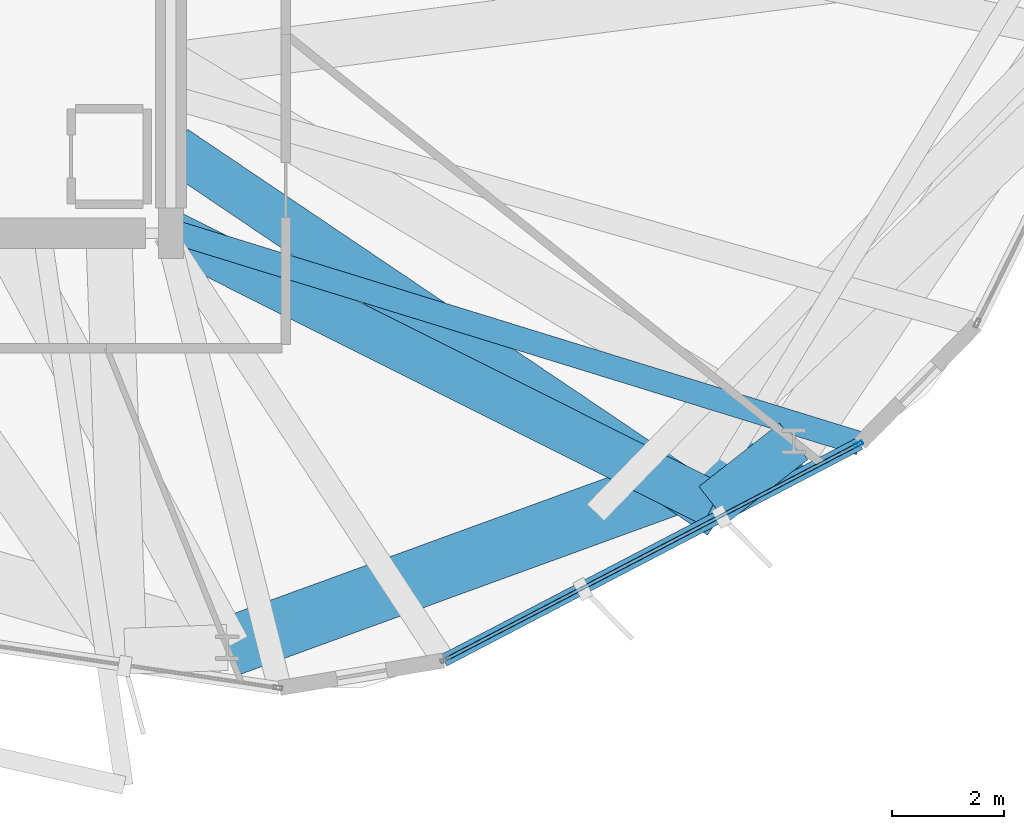
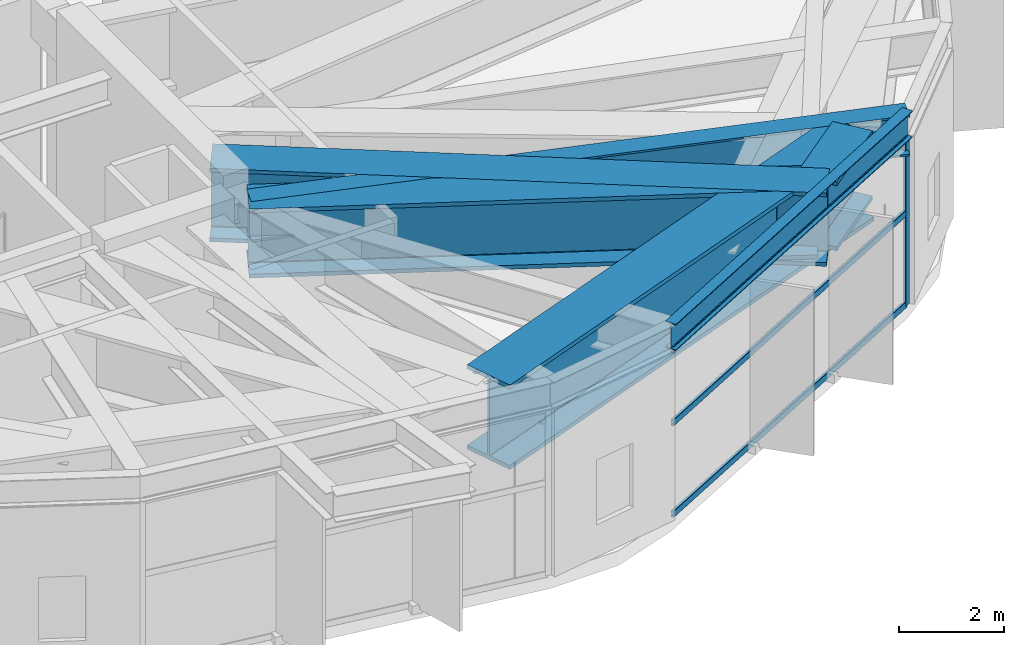
# One storey, part 8 of 27: 6 beams, 4 members, 1 element without a shape of its own.
"""IFC4 building model written with IfcOpenShell, lengths in metres."""

from ifc_helpers import new_model, si_unit, direction, frame, origin, origin_2d, place, context, subcontext, project, spatial, hollow_rectangle, i_section, extrude, material, layer, layer_set, material_profile, profile_set, type_object, element, aggregate, save


model = new_model("IFC4")

# Units and contexts
model_context = context("Model", 3, precision=1e-05, world=origin(), true_north=direction((0.0, 1.0)))
body_context = subcontext(model_context, "Body", "Model", "MODEL_VIEW")
ifc_project = project(units=[si_unit("LENGTHUNIT", "METRE"), si_unit("AREAUNIT", "SQUARE_METRE"), si_unit("VOLUMEUNIT", "CUBIC_METRE"), si_unit("PLANEANGLEUNIT", "RADIAN"), si_unit("MASSUNIT", "GRAM", prefix="KILO")], contexts=[model_context])

# Site, building, storey
site_placement = place(None, origin())
site = spatial("IfcSite", under=ifc_project, at=site_placement, CompositionType="ELEMENT")
building_placement = place(site_placement, origin())
building = spatial("IfcBuilding", under=site, at=building_placement, Name="Soratama Intermodal Tower", CompositionType="ELEMENT")
storey_placement = place(building_placement, frame((0.0, 0.0, 134.199951171875)))
storey = spatial("IfcBuildingStorey", under=building, at=storey_placement, Name="L32", CompositionType="ELEMENT", Elevation=134.199951171875)

# Beams
ifc_material_1 = material(Name="Structural steel ASTM A992 Grade 50", Category="steel")
ifc_material_profile_1 = material_profile(ifc_material_1, i_section(OverallWidth=0.423095703125, OverallDepth=0.93896484375, WebThickness=0.02392578125, FlangeThickness=0.042724609375, FilletRadius=0.02392578125, at=origin_2d()), Name="W36X302")
ifc_profile_set_1 = profile_set([ifc_material_profile_1], Name="Structural steel ASTM A992 Grade 50")
beam_type_1 = type_object("IfcBeamType", Name="BM-POD-W36X302", PredefinedType="BEAM", material=ifc_profile_set_1)
beam_1_placement = place(storey_placement, frame((44.637939453125, 15.031005859375, 4.030517578125), z_axis=(0.955576687125, -0.294742591126, 0.0), x_axis=(0.294742591126, 0.955576687125, 0.0)))
element("IfcBeam", 1, at=beam_1_placement, inside=storey, type_object=beam_type_1, Name="BM-L32-TIE1-08", PredefinedType="BEAM", context=body_context, shape_type="SweptSolid", body=[
    extrude(i_section(OverallWidth=0.423095703125, OverallDepth=0.93896484375, WebThickness=0.02392578125, FlangeThickness=0.042724609375, FilletRadius=0.02392578125, at=origin_2d()), origin(), (0.0, 0.0, 1.0), 12.824951171875),
])
ifc_material_2 = material(Name="Structural steel ASTM A992 Grade 50", Category="steel")
ifc_material_profile_2 = material_profile(ifc_material_2, i_section(OverallWidth=0.22900390625, OverallDepth=0.612060546875, WebThickness=0.011962890625, FlangeThickness=0.01953125, FilletRadius=0.012939453125, at=origin_2d()), Name="W24X84")
ifc_profile_set_2 = profile_set([ifc_material_profile_2], Name="Structural steel ASTM A992 Grade 50")
beam_type_2 = type_object("IfcBeamType", Name="BM-SPN-W24X84", PredefinedType="SPANDREL", material=ifc_profile_set_2)
beam_2_placement = place(storey_placement, frame((49.466064453125, 7.3779296875, 4.194091796875), z_axis=(0.886678375348, 0.462386698219, 0.0), x_axis=(-0.462386698219, 0.886678375348, 0.0)))
element("IfcBeam", 2, at=beam_2_placement, inside=storey, type_object=beam_type_2, Name="BS-L32-F08", PredefinedType="SPANDREL", context=body_context, shape_type="SweptSolid", body=[
    extrude(i_section(OverallWidth=0.22900390625, OverallDepth=0.612060546875, WebThickness=0.011962890625, FlangeThickness=0.01953125, FilletRadius=0.012939453125, at=origin_2d()), origin(), (0.0, 0.0, 1.0), 8.376220703125),
])
ifc_material_3 = material(Name="Structural steel ASTM A992 Grade 50", Category="steel")
ifc_material_profile_3 = material_profile(ifc_material_3, i_section(OverallWidth=0.820068359375, OverallDepth=1.699951171875, WebThickness=0.053955078125, FlangeThickness=0.087890625, FilletRadius=0.02392578125, at=origin_2d()), Name="PG1580X800")
ifc_profile_set_3 = profile_set([ifc_material_profile_3], Name="Structural steel ASTM A992 Grade 50")
beam_type_3 = type_object("IfcBeamType", Name="BM-ZSTEP-PG1580", PredefinedType="BEAM", material=ifc_profile_set_3)
beam_3_placement = place(storey_placement, frame((44.669921875, 16.51708984375, 3.650146484375), z_axis=(0.829072577214, -0.559141003425, 0.0), x_axis=(0.559141003425, 0.829072577214, 0.0)))
element("IfcBeam", 3, at=beam_3_placement, inside=storey, type_object=beam_type_3, Name="BM-L32-ZCHORD-09", PredefinedType="BEAM", context=body_context, shape_type="SweptSolid", body=[
    extrude(i_section(OverallWidth=0.820068359375, OverallDepth=1.699951171875, WebThickness=0.053955078125, FlangeThickness=0.087890625, FilletRadius=0.02392578125, at=origin_2d()), origin(), (0.0, 0.0, 1.0), 11.73974609375),
])
ifc_material_4 = material(Name="Structural steel ASTM A992 Grade 50", Category="steel")
ifc_material_profile_4 = material_profile(ifc_material_4, i_section(OverallWidth=0.820068359375, OverallDepth=1.60205078125, WebThickness=0.055908203125, FlangeThickness=0.092041015625, FilletRadius=0.02392578125, at=origin_2d()), Name="PG1600X650")
ifc_profile_set_4 = profile_set([ifc_material_profile_4], Name="Structural steel ASTM A992 Grade 50")
beam_type_4 = type_object("IfcBeamType", Name="BM-ZSTEP-PG1600", PredefinedType="BEAM", material=ifc_profile_set_4)
beam_4_placement = place(storey_placement, frame((55.7119140625, 11.2890625, 3.698974609375), z_axis=(-0.786244219963, -0.61791587338, 0.0), x_axis=(0.61791587338, -0.786244219963, 0.0)))
element("IfcBeam", 4, at=beam_4_placement, inside=storey, type_object=beam_type_4, Name="BM-L32-ZSTEP-A09", PredefinedType="BEAM", context=body_context, shape_type="SweptSolid", body=[
    extrude(i_section(OverallWidth=0.820068359375, OverallDepth=1.60205078125, WebThickness=0.055908203125, FlangeThickness=0.092041015625, FilletRadius=0.02392578125, at=origin_2d()), origin(), (0.0, 0.0, 1.0), 1.828857421875),
])
beam_5_placement = place(storey_placement, frame((54.27392578125, 10.158935546875, 3.698974609375), z_axis=(-0.894273669201, 0.447520507434, 0.0), x_axis=(-0.447520507434, -0.894273669201, 0.0)))
element("IfcBeam", 5, at=beam_5_placement, inside=storey, type_object=beam_type_4, Name="BM-L32-ZSTEP-B09", PredefinedType="BEAM", context=body_context, shape_type="SweptSolid", body=[
    extrude(i_section(OverallWidth=0.820068359375, OverallDepth=1.60205078125, WebThickness=0.055908203125, FlangeThickness=0.092041015625, FilletRadius=0.02392578125, at=origin_2d()), origin(), (0.0, 0.0, 1.0), 10.817626953125),
])
ifc_material_5 = material(Name="Structural steel ASTM A992 Grade 50", Category="steel")
ifc_material_profile_5 = material_profile(ifc_material_5, i_section(OverallWidth=1.06005859375, OverallDepth=1.9599609375, WebThickness=0.05810546875, FlangeThickness=0.095947265625, FilletRadius=0.02392578125, at=origin_2d()), Name="PG2400X900")
ifc_profile_set_5 = profile_set([ifc_material_profile_5], Name="Structural steel ASTM A992 Grade 50")
beam_type_5 = type_object("IfcBeamType", Name="BM-ZSTEP-PG2400", PredefinedType="BEAM", material=ifc_profile_set_5)
beam_6_placement = place(storey_placement, frame((45.60693359375, 7.611083984375, 3.52001953125), z_axis=(0.939690636038, 0.342025596326, 0.0), x_axis=(-0.342025596326, 0.939690636038, 0.0)))
element("IfcBeam", 6, at=beam_6_placement, inside=storey, type_object=beam_type_5, Name="BM-L32-RING-08", PredefinedType="BEAM", context=body_context, shape_type="SweptSolid", body=[
    extrude(i_section(OverallWidth=1.06005859375, OverallDepth=1.9599609375, WebThickness=0.05810546875, FlangeThickness=0.095947265625, FilletRadius=0.02392578125, at=origin_2d()), origin(), (0.0, 0.0, 1.0), 10.75341796875),
])

# Curtain wall, members
ifc_material_6 = material(Name="Double-glazed aluminium curtain wall", Category="aluminium")
ifc_layer = layer(ifc_material_6, 0.159912109375)
ifc_layer_set = layer_set([ifc_layer], Name="Double-glazed aluminium curtain wall")
curtain_wall_type = type_object("IfcCurtainWallType", Name="CW-SYS-3", PredefinedType="NOTDEFINED", material=ifc_layer_set)
curtain_wall_placement = place(storey_placement, origin())
curtain_wall = element("IfcCurtainWall", 7, at=curtain_wall_placement, inside=storey, type_object=curtain_wall_type, Name="L32 Faceted Curtain Wall F08", PredefinedType="NOTDEFINED")
ifc_material_7 = material(Name="Anodised aluminium AA 6063-T6", Category="aluminium")
ifc_material_profile_6 = material_profile(ifc_material_7, hollow_rectangle(XDim=0.070068359375, YDim=0.159912109375, WallThickness=0.0048828125, InnerFilletRadius=0.0048828125, OuterFilletRadius=0.010009765625, at=origin_2d()), Name="CWM160X70X5")
ifc_profile_set_6 = profile_set([ifc_material_profile_6], Name="Anodised aluminium AA 6063-T6")
member_type_1 = type_object("IfcMemberType", Name="MT-CWM-3", PredefinedType="MULLION", material=ifc_profile_set_6)
member_1_placement = place(storey_placement, frame((56.8662109375, 11.2373046875, 0.0), z_axis=(0.0, 0.0, 1.0), x_axis=(-0.462358726899, 0.886692961323, 0.0)))
member_1 = element("IfcMember", 8, at=member_1_placement, type_object=member_type_1, Name="CW-3 mullion 2", PredefinedType="MULLION", context=body_context, shape_type="SweptSolid", body=[
    extrude(hollow_rectangle(XDim=0.070068359375, YDim=0.159912109375, WallThickness=0.0048828125, InnerFilletRadius=0.0048828125, OuterFilletRadius=0.010009765625, at=origin_2d()), origin(), (0.0, 0.0, 1.0), 3.879150390625),
])
ifc_material_8 = material(Name="Anodised aluminium AA 6063-T6", Category="aluminium")
ifc_material_profile_7 = material_profile(ifc_material_8, hollow_rectangle(XDim=0.06494140625, YDim=0.14990234375, WallThickness=0.0048828125, InnerFilletRadius=0.0048828125, OuterFilletRadius=0.010009765625, at=origin_2d()), Name="CWT150X65X5")
ifc_profile_set_7 = profile_set([ifc_material_profile_7], Name="Anodised aluminium AA 6063-T6")
member_type_2 = type_object("IfcMemberType", Name="TT-CWT-1", PredefinedType="USERDEFINED", material=ifc_profile_set_7)
member_2_placement = place(storey_placement, frame((49.518798828125, 7.40625, 0.030029296875), z_axis=(0.886704504985, 0.462336588256, 0.0), x_axis=(-0.462336588256, 0.886704504985, 0.0)))
member_2 = element("IfcMember", 9, at=member_2_placement, type_object=member_type_2, Name="CW-3 transom 1.1", ObjectType="TRANSOM", PredefinedType="USERDEFINED", context=body_context, shape_type="SweptSolid", body=[
    extrude(hollow_rectangle(XDim=0.06494140625, YDim=0.14990234375, WallThickness=0.0048828125, InnerFilletRadius=0.0048828125, OuterFilletRadius=0.010009765625, at=origin_2d()), origin(), (0.0, 0.0, 1.0), 8.256103515625),
])
member_3_placement = place(storey_placement, frame((49.518798828125, 7.40625, 2.150146484375), z_axis=(0.886704504985, 0.462336588256, 0.0), x_axis=(-0.462336588256, 0.886704504985, 0.0)))
member_3 = element("IfcMember", 10, at=member_3_placement, type_object=member_type_2, Name="CW-3 transom 1.2", ObjectType="TRANSOM", PredefinedType="USERDEFINED", context=body_context, shape_type="SweptSolid", body=[
    extrude(hollow_rectangle(XDim=0.06494140625, YDim=0.14990234375, WallThickness=0.0048828125, InnerFilletRadius=0.0048828125, OuterFilletRadius=0.010009765625, at=origin_2d()), origin(), (0.0, 0.0, 1.0), 8.256103515625),
])
member_4_placement = place(storey_placement, frame((49.518798828125, 7.40625, 3.84912109375), z_axis=(0.886704504985, 0.462336588256, 0.0), x_axis=(-0.462336588256, 0.886704504985, 0.0)))
member_4 = element("IfcMember", 11, at=member_4_placement, type_object=member_type_2, Name="CW-3 transom 1.3", ObjectType="TRANSOM", PredefinedType="USERDEFINED", context=body_context, shape_type="SweptSolid", body=[
    extrude(hollow_rectangle(XDim=0.06494140625, YDim=0.14990234375, WallThickness=0.0048828125, InnerFilletRadius=0.0048828125, OuterFilletRadius=0.010009765625, at=origin_2d()), origin(), (0.0, 0.0, 1.0), 8.256103515625),
])
aggregate(curtain_wall, [member_1, member_2, member_3, member_4])

save(model, "model.ifc")
